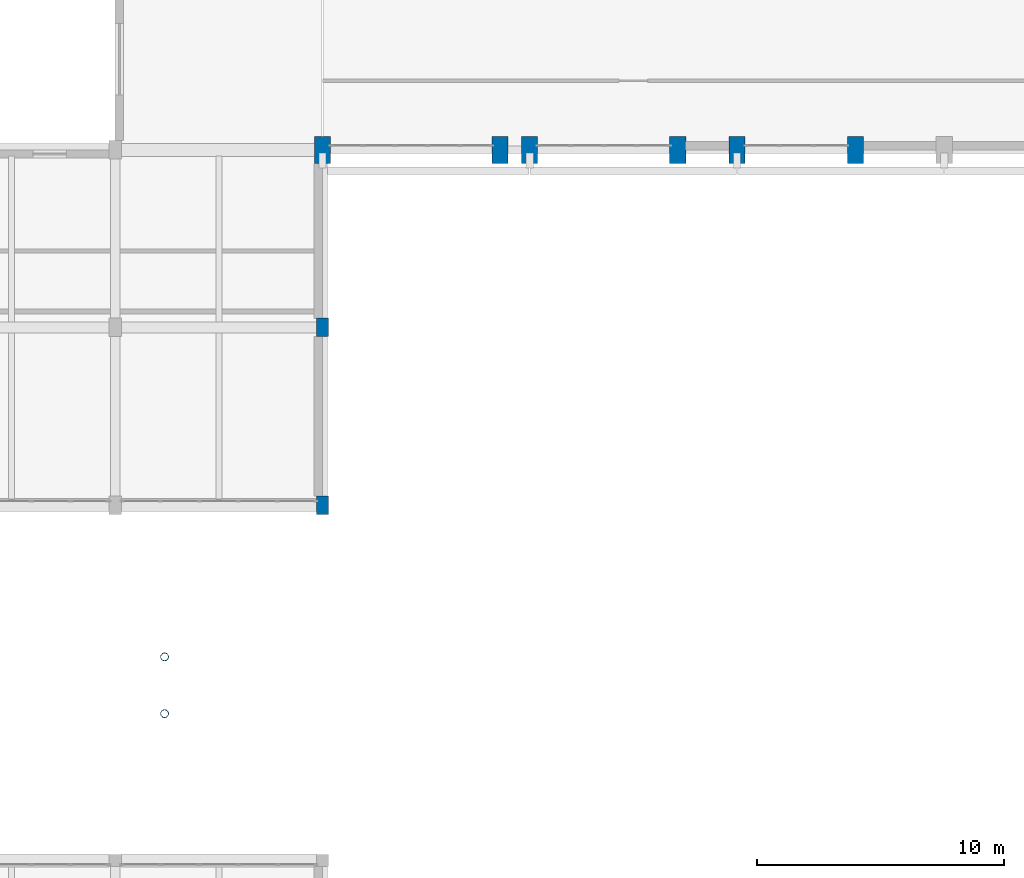
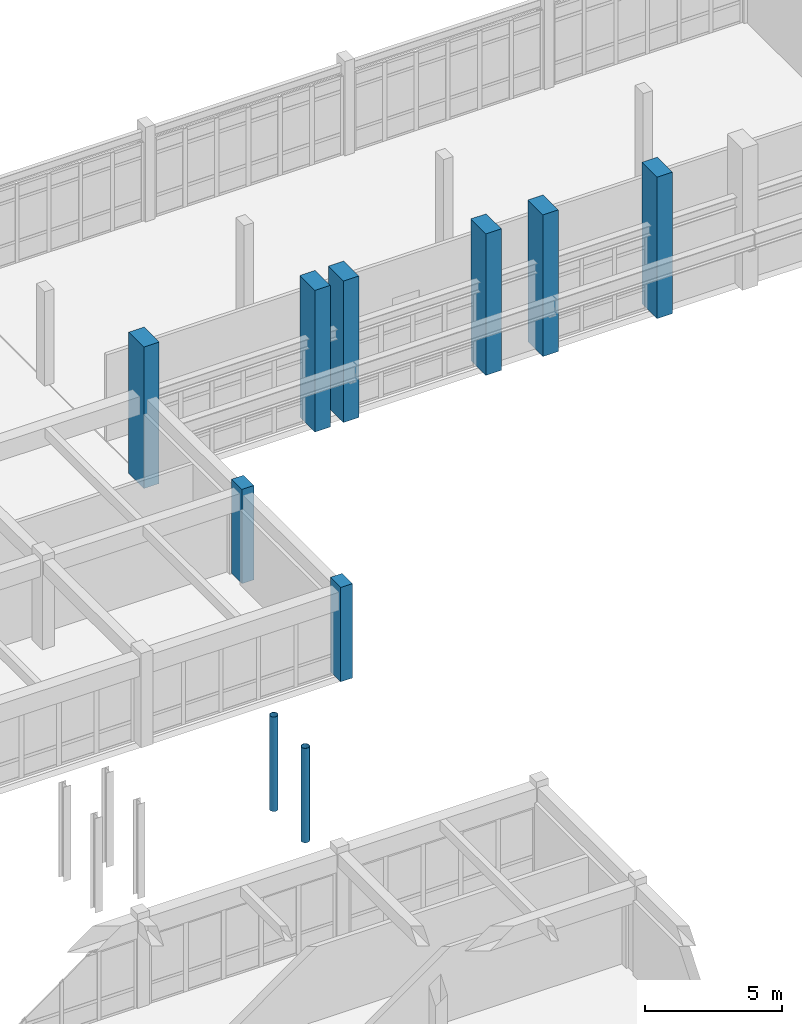
# One storey, part 31 of 147: 10 columns.
"""IFC4 building model written with IfcOpenShell, lengths in metres."""

from ifc_helpers import new_model, si_unit, direction, frame, origin, origin_2d, place, context, subcontext, project, spatial, rectangle, hollow_circle, extrude, material, material_profile, profile_set, type_object, element, save


model = new_model("IFC4")

# Units and contexts
model_context = context("Model", 3, precision=1e-05, world=origin(), true_north=direction((0.0, 1.0)))
body_context = subcontext(model_context, "Body", "Model", "MODEL_VIEW")
ifc_project = project(units=[si_unit("LENGTHUNIT", "METRE"), si_unit("AREAUNIT", "SQUARE_METRE"), si_unit("VOLUMEUNIT", "CUBIC_METRE"), si_unit("PLANEANGLEUNIT", "RADIAN"), si_unit("MASSUNIT", "GRAM", prefix="KILO")], contexts=[model_context])

# Site, building, storey
site_placement = place(None, origin())
site = spatial("IfcSite", under=ifc_project, at=site_placement, CompositionType="ELEMENT")
building_placement = place(site_placement, origin())
building = spatial("IfcBuilding", under=site, at=building_placement, Name="Malvenik Polytechnic", CompositionType="ELEMENT")
storey_placement = place(building_placement, frame((0.0, 0.0, 5.10009765625)))
storey = spatial("IfcBuildingStorey", under=building, at=storey_placement, Name="L01", CompositionType="ELEMENT", Elevation=5.10009765625)

# Columns
ifc_material_1 = material(Name="Concrete C35/45", Category="concrete")
ifc_material_profile_1 = material_profile(ifc_material_1, rectangle(XDim=0.64990234375, YDim=1.10009765625, at=origin_2d()), Name="RC COL 1100x650")
ifc_profile_set_1 = profile_set([ifc_material_profile_1], Name="Concrete C35/45")
column_type_1 = type_object("IfcColumnType", Name="STR-COL-C-12", PredefinedType="COLUMN", material=ifc_profile_set_1)
for number, where, z_axis, x_axis, name in (
    (1, (134.39990234375, 93.60009765625, 0.0), (0.0, 0.0, 1.0), (1.0, 0.0, 0.0), "Column C-12 L01 (134.4,93.6)"),
    (2, (141.60009765625, 93.60009765625, 0.0), (0.0, 0.0, 1.0), (1.0, 0.0, 0.0), "Column C-12 L01 (141.6,93.6)"),
    (3, (142.800048828125, 93.60009765625, 0.0), (0.0, 0.0, 1.0), (1.0, 0.0, 0.0), "Column C-12 L01 (142.8,93.6)"),
    (4, (148.800048828125, 93.60009765625, 0.0), (0.0, 0.0, 1.0), (1.0, 0.0, 0.0), "Column C-12 L01 (148.8,93.6)"),
    (5, (151.199951171875, 93.60009765625, 0.0), (0.0, 0.0, 1.0), (1.0, 0.0, 0.0), "Column C-12 L01 (151.2,93.6)"),
    (6, (156.0, 93.60009765625, 0.0), (0.0, 0.0, 1.0), (1.0, 0.0, 0.0), "Column C-12 L01 (156.0,93.6)"),
):
    element("IfcColumn", number, at=place(storey_placement, frame(where, z_axis=z_axis, x_axis=x_axis)), inside=storey, type_object=column_type_1, Name=name, PredefinedType="COLUMN", context=body_context, shape_type="SweptSolid", body=[
        extrude(rectangle(XDim=0.64990234375, YDim=1.10009765625, at=origin_2d()), origin(), (0.0, 0.0, 1.0), 6.2998046875),
    ])
ifc_material_profile_2 = material_profile(ifc_material_1, rectangle(XDim=0.5, YDim=0.75, at=origin_2d()), Name="RC COL 750x500")
ifc_profile_set_2 = profile_set([ifc_material_profile_2], Name="Concrete C35/45")
column_type_2 = type_object("IfcColumnType", Name="STR-COL-C-14", PredefinedType="COLUMN", material=ifc_profile_set_2)
for number, where, z_axis, x_axis, name in (
    (7, (134.39990234375, 79.199951171875, 0.0), (0.0, 0.0, 1.0), (1.0, 0.0, 0.0), "Column C-14 L01 (134.4,79.2)"),
    (8, (134.39990234375, 86.39990234375, 0.0), (0.0, 0.0, 1.0), (1.0, 0.0, 0.0), "Column C-14 L01 (134.4,86.4)"),
):
    element("IfcColumn", number, at=place(storey_placement, frame(where, z_axis=z_axis, x_axis=x_axis)), inside=storey, type_object=column_type_2, Name=name, PredefinedType="COLUMN", context=body_context, shape_type="SweptSolid", body=[
        extrude(rectangle(XDim=0.5, YDim=0.75, at=origin_2d()), origin(), (0.0, 0.0, 1.0), 4.199951171875),
    ])
ifc_material_2 = material(Name="Steel S355J2H", Category="steel")
ifc_material_profile_3 = material_profile(ifc_material_2, hollow_circle(Radius=0.161865234375, WallThickness=0.012451171875, at=origin_2d()), Name="CHS 323.9x12.5")
ifc_profile_set_3 = profile_set([ifc_material_profile_3], Name="Steel S355J2H")
column_type_3 = type_object("IfcColumnType", Name="STR-SCOL-SC-04", PredefinedType="COLUMN", material=ifc_profile_set_3)
for number, where, z_axis, x_axis, name in (
    (9, (128.0, 70.75, 0.0), (0.0, 0.0, 1.0), (1.0, 0.0, 0.0), "Bridge-Ramp Support Column SC-04 L01"),
    (10, (128.0, 73.050048828125, 0.0), (0.0, 0.0, 1.0), (1.0, 0.0, 0.0), "Bridge-Ramp Support Column SC-04 L01"),
):
    element("IfcColumn", number, at=place(storey_placement, frame(where, z_axis=z_axis, x_axis=x_axis)), inside=storey, type_object=column_type_3, Name=name, PredefinedType="COLUMN", context=body_context, shape_type="SweptSolid", body=[
        extrude(hollow_circle(Radius=0.161865234375, WallThickness=0.012451171875, at=origin_2d()), origin(), (0.0, 0.0, 1.0), 4.199951171875),
    ])

save(model, "model.ifc")
